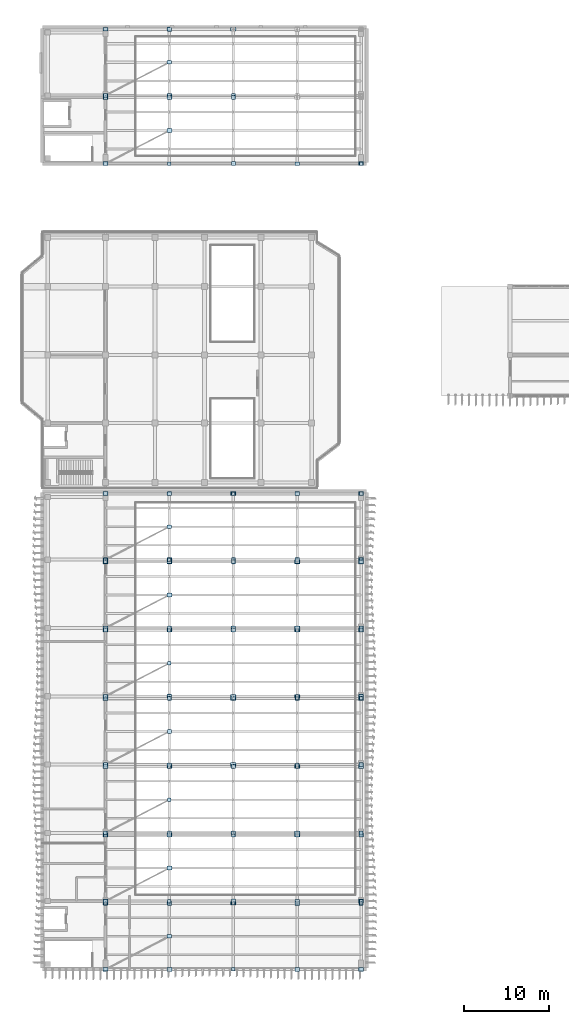
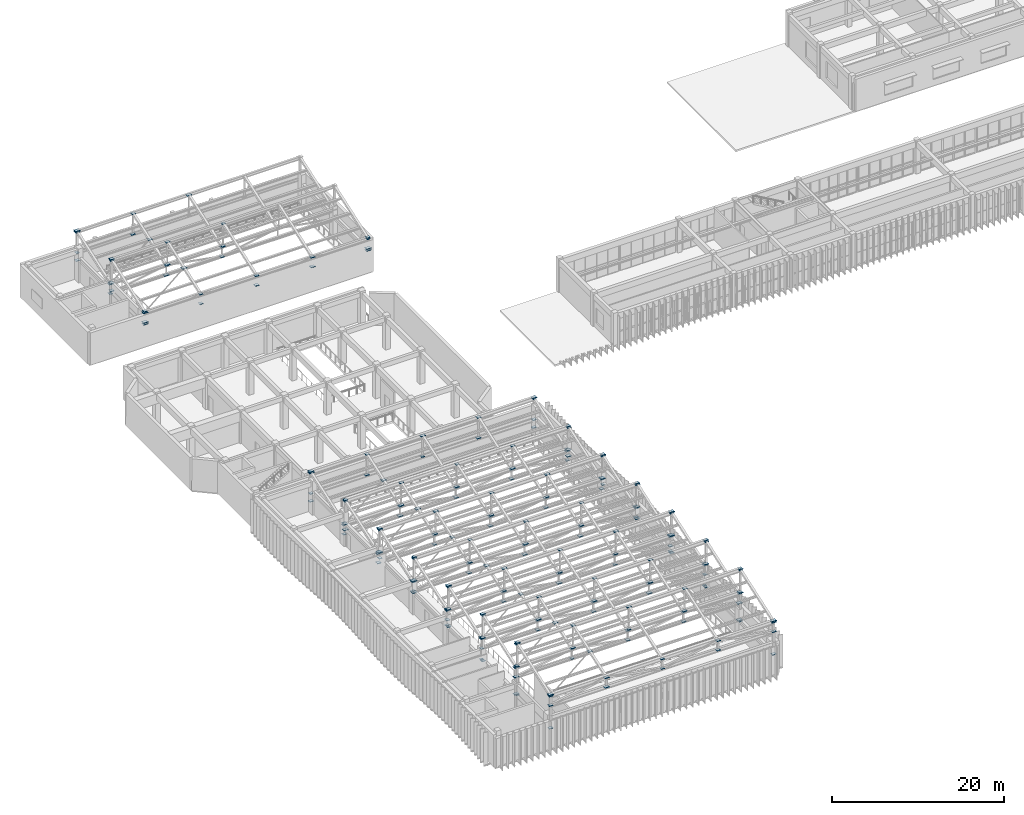
# One storey, part 49 of 76: 235 plates.
"""IFC4 building model written with IfcOpenShell, lengths in metres."""

import ifcopenshell
import ifcopenshell.guid

model = None  # the IFC model being written
_history = None  # IfcOwnerHistory: only IFC2X3 demands one
_inside = {}  # id of a spatial element -> (the spatial element, [elements in it])
_under = {}  # id of a project, library or spatial element -> (it, [spatial elements below it])
_declared = {}  # id of a project -> (the project, [libraries it declares])
_typed = {}  # id of a type object -> (the type object, [elements of that type])
_made_of = {}  # id of a material, layer set ... -> (it, [elements and type objects made of it])


def new_model(schema):
    """Start an empty IFC model of exactly this schema.

    Asked for "IFC4X3", IfcOpenShell would pick the latest addendum, in which some entities
    have other attributes; the version numbers below select the first issue.
    IFC2X3 requires an IfcOwnerHistory on every rooted entity: one is made here for all.
    """
    global model, _history
    if schema == "IFC4X3":
        model = ifcopenshell.file(schema_version=(4, 3, 0, 0))
    else:
        model = ifcopenshell.file(schema=schema)
    _inside.clear()
    _under.clear()
    _declared.clear()
    _typed.clear()
    _made_of.clear()
    _history = None
    if model.schema == "IFC2X3":
        org = make("IfcOrganization", Name="unknown")
        user = make(
            "IfcPersonAndOrganization",
            ThePerson=make("IfcPerson", FamilyName="unknown"),
            TheOrganization=org,
        )
        app = make(
            "IfcApplication",
            ApplicationDeveloper=org,
            Version="unknown",
            ApplicationFullName="unknown",
            ApplicationIdentifier="unknown",
        )
        _history = make(
            "IfcOwnerHistory",
            OwningUser=user,
            OwningApplication=app,
            ChangeAction="ADDED",
            CreationDate=0,
        )
    return model


def make(cls, **values):
    """One entity of the class cls with the attributes given. An attribute that is None is left unset."""
    return model.create_entity(
        cls, **{name: value for name, value in values.items() if value is not None}
    )


def rooted(cls, **values):
    """An entity with a GlobalId (a new one), such as an element, a storey or a relation."""
    return make(cls, GlobalId=ifcopenshell.guid.new(), OwnerHistory=_history, **values)


def si_unit(unit_type, name, prefix=None):
    """IfcSIUnit, for example si_unit("LENGTHUNIT", "METRE", prefix="MILLI")."""
    return make("IfcSIUnit", UnitType=unit_type, Prefix=prefix, Name=name)


def assignment(units):
    """IfcUnitAssignment: the units of a project."""
    return None if units is None else make("IfcUnitAssignment", Units=units)


def point(xyz):
    """IfcCartesianPoint."""
    return None if xyz is None else make("IfcCartesianPoint", Coordinates=xyz)


def direction(xyz):
    """IfcDirection."""
    return None if xyz is None else make("IfcDirection", DirectionRatios=xyz)


def frame(location, z_axis=None, x_axis=None):
    """IfcAxis2Placement3D, a coordinate frame: its origin and axes. An axis left out is left unset."""
    return make(
        "IfcAxis2Placement3D",
        Location=point(location),
        Axis=direction(z_axis),
        RefDirection=direction(x_axis),
    )


def frame_2d(location, x_axis=None):
    """IfcAxis2Placement2D, a coordinate frame in the plane: its origin and x axis."""
    return make(
        "IfcAxis2Placement2D", Location=point(location), RefDirection=direction(x_axis)
    )


def origin():
    """The frame at (0, 0, 0) with its axes left unset."""
    return frame((0.0, 0.0, 0.0))


def origin_2d():
    """The frame at (0, 0) in the plane with its x axis left unset."""
    return frame_2d((0.0, 0.0))


def place(relative_to, where):
    """IfcLocalPlacement: puts the frame where relative to a parent placement (None: the world)."""
    return make(
        "IfcLocalPlacement", PlacementRelTo=relative_to, RelativePlacement=where
    )


def context(
    kind, dimensions, precision=None, world=None, true_north=None, identifier=None
):
    """IfcGeometricRepresentationContext, for example the 3D "Model" context."""
    return make(
        "IfcGeometricRepresentationContext",
        ContextIdentifier=identifier,
        ContextType=kind,
        CoordinateSpaceDimension=dimensions,
        Precision=precision,
        WorldCoordinateSystem=world,
        TrueNorth=true_north,
    )


def subcontext(parent, identifier, kind, view, scale=None):
    """IfcGeometricRepresentationSubContext, for example "Body" below "Model"."""
    return make(
        "IfcGeometricRepresentationSubContext",
        ContextIdentifier=identifier,
        ContextType=kind,
        ParentContext=parent,
        TargetScale=scale,
        TargetView=view,
    )


def project(units=None, contexts=None):
    """IfcProject with its units and contexts."""
    return rooted(
        "IfcProject",
        Name="project",
        RepresentationContexts=contexts,
        UnitsInContext=assignment(units),
    )


def spatial(cls, under=None, at=None, **own):
    """A site, building, storey or space (cls), placed at a placement, below another one or the project."""
    s = rooted(cls, ObjectPlacement=at, **own)
    if under is not None:
        _under.setdefault(under.id(), (under, []))[1].append(s)
    return s


def profile(cls, at=None, kind="AREA", **sizes):
    """A parametric profile (cls). Its sizes go by their IFC names, for example OverallWidth=200.0."""
    return make(cls, ProfileType=kind, Position=at, **sizes)


def rectangle(**sizes):
    """IfcRectangleProfileDef."""
    return profile("IfcRectangleProfileDef", **sizes)


def extrude(swept, where, along, depth):
    """IfcExtrudedAreaSolid: the profile swept, set in the frame where, extruded along a direction by depth."""
    return make(
        "IfcExtrudedAreaSolid",
        SweptArea=swept,
        Position=where,
        ExtrudedDirection=direction(along),
        Depth=depth,
    )


def shape(context_of_items, identifier, shape_type, items):
    """IfcShapeRepresentation: the items that make up one representation, for example the "Body"."""
    return make(
        "IfcShapeRepresentation",
        ContextOfItems=context_of_items,
        RepresentationIdentifier=identifier,
        RepresentationType=shape_type,
        Items=items,
    )


def material(Name=None, Category=None):
    """IfcMaterial."""
    return make("IfcMaterial", Name=Name, Category=Category)


def layer(
    of_material, thickness, ventilated=None, Name=None, Category=None, Priority=None
):
    """IfcMaterialLayer: one layer of a wall or slab, of a material (None: an air gap)."""
    return make(
        "IfcMaterialLayer",
        Material=of_material,
        LayerThickness=thickness,
        IsVentilated=ventilated,
        Name=Name,
        Category=Category,
        Priority=Priority,
    )


def layer_set(layers, Name=None):
    """IfcMaterialLayerSet."""
    return make("IfcMaterialLayerSet", MaterialLayers=layers, LayerSetName=Name)


def made_of(thing, what):
    """Note that an element or type object is made of a material, layer set ...; save() writes the relation."""
    if what is not None:
        _made_of.setdefault(what.id(), (what, []))[1].append(thing)
    return thing


def type_object(cls, material=None, **own):
    """A type object (cls), such as IfcWallType, which elements share."""
    return made_of(rooted(cls, **own), material)


def element(
    cls,
    number,
    at=None,
    inside=None,
    cuts=None,
    type_object=None,
    material=None,
    context=None,
    identifier="Body",
    shape_type=None,
    held_by="IfcProductDefinitionShape",
    body=None,
    shapes=None,
    **own,
):
    """One element of the class cls, such as IfcWall. Its Tag is "e" and its number.

    at: its placement. inside: the storey or other place that contains it. cuts: it is an
    opening in that element (IfcRelVoidsElement). A single representation is given by context,
    identifier, shape_type and body (its items); several are given by shapes. held_by: the class
    of the entity that holds the representations. save() writes the other relations.
    """
    e = rooted(cls, Tag="e%d" % number, ObjectPlacement=at, **own)
    if body is not None:
        shapes = [shape(context, identifier, shape_type, body)]
    if shapes is not None:
        e.Representation = make(held_by, Representations=shapes)
    if inside is not None:
        _inside.setdefault(inside.id(), (inside, []))[1].append(e)
    if cuts is not None:
        rooted(
            "IfcRelVoidsElement", RelatingBuildingElement=cuts, RelatedOpeningElement=e
        )
    if type_object is not None:
        _typed.setdefault(type_object.id(), (type_object, []))[1].append(e)
    return made_of(e, material)


def aggregate(whole, parts):
    """IfcRelAggregates: a whole, such as a stair, and the parts it consists of."""
    return rooted("IfcRelAggregates", RelatingObject=whole, RelatedObjects=parts)


def save(model, path):
    """Write the relations noted so far, then the file.

    IfcRelAggregates (storeys below a building ...), IfcRelContainedInSpatialStructure (elements
    in a storey), IfcRelDefinesByType, IfcRelAssociatesMaterial and IfcRelDeclares: one each for
    every whole, place, type object, material and project.
    """
    for whole, parts in _under.values():
        aggregate(whole, parts)
    for where, things in _inside.values():
        rooted(
            "IfcRelContainedInSpatialStructure",
            RelatedElements=things,
            RelatingStructure=where,
        )
    for kind, things in _typed.values():
        rooted("IfcRelDefinesByType", RelatedObjects=things, RelatingType=kind)
    for what, things in _made_of.values():
        rooted("IfcRelAssociatesMaterial", RelatedObjects=things, RelatingMaterial=what)
    for by, libraries in _declared.values():
        rooted("IfcRelDeclares", RelatingContext=by, RelatedDefinitions=libraries)
    model.write(path)


model = new_model("IFC4")

# Units and contexts
model_context = context("Model", 3, precision=1e-05, world=origin(), true_north=direction((0.0, 1.0)))
body_context = subcontext(model_context, "Body", "Model", "MODEL_VIEW")
ifc_project = project(units=[si_unit("LENGTHUNIT", "METRE"), si_unit("AREAUNIT", "SQUARE_METRE"), si_unit("VOLUMEUNIT", "CUBIC_METRE"), si_unit("PLANEANGLEUNIT", "RADIAN"), si_unit("MASSUNIT", "GRAM", prefix="KILO")], contexts=[model_context])

# Site, building, storey
site_placement = place(None, origin())
site = spatial("IfcSite", under=ifc_project, at=site_placement, CompositionType="ELEMENT")
building_placement = place(site_placement, origin())
building = spatial("IfcBuilding", under=site, at=building_placement, Name="Cinchona Park Media Centre", CompositionType="ELEMENT")
storey_placement = place(building_placement, frame((0.0, 0.0, 15.60009765625)))
storey = spatial("IfcBuildingStorey", under=building, at=storey_placement, Name="L03", CompositionType="ELEMENT", Elevation=15.60009765625)

# Plates
ifc_material_1 = material(Name="Steel S355", Category="steel")
ifc_layer_1 = layer(ifc_material_1, 0.02001953125)
ifc_layer_set_1 = layer_set([ifc_layer_1], Name="Steel S355")
plate_type_1 = type_object("IfcPlateType", Name="PLATE-GP01", PredefinedType="USERDEFINED", material=ifc_layer_set_1)
for number, where, z_axis, x_axis, name in (
    (1, (15.39990234375, 15.35009765625, 3.039794921875), (0.0, 0.0, 1.0), (1.0, 0.0, 0.0), "Truss Node Gusset Plate TN1"),
    (2, (45.360107421875, 15.35009765625, 3.039794921875), (0.0, 0.0, 1.0), (1.0, 0.0, 0.0), "Truss Node Gusset Plate TN1"),
    (3, (30.3798828125, 7.60009765625, 6.239990234375), (0.0, 0.0, 1.0), (1.0, 0.0, 0.0), "Truss Node Gusset Plate TN2"),
    (4, (30.3798828125, 7.60009765625, 7.58984375), (0.0, 0.0, 1.0), (1.0, 0.0, 0.0), "Truss Node Gusset Plate TN2"),
    (5, (15.39990234375, 15.35009765625, 7.08984375), (0.0, 0.0, 1.0), (1.0, 0.0, 0.0), "Truss Node Gusset Plate TN3"),
    (6, (30.3798828125, 15.35009765625, 7.08984375), (0.0, 0.0, 1.0), (1.0, 0.0, 0.0), "Truss Node Gusset Plate TN3"),
    (7, (45.360107421875, 15.35009765625, 10.289794921875), (0.0, 0.0, 1.0), (1.0, 0.0, 0.0), "Truss Node Gusset Plate TN3"),
    (8, (15.39990234375, 15.60009765625, 6.97998046875), (0.0, 0.0, 1.0), (1.0, 0.0, 0.0), "Truss Node Gusset Plate TN1"),
    (9, (45.360107421875, 15.60009765625, 6.97998046875), (0.0, 0.0, 1.0), (1.0, 0.0, 0.0), "Truss Node Gusset Plate TN1"),
    (10, (22.889892578125, 15.60009765625, 6.789794921875), (0.0, 0.0, 1.0), (1.0, 0.0, 0.0), "Truss Node Gusset Plate TN1"),
    (11, (22.889892578125, 15.60009765625, 5.43994140625), (0.0, 0.0, 1.0), (1.0, 0.0, 0.0), "Truss Node Gusset Plate TN1"),
    (12, (15.39990234375, 23.35009765625, 9.489990234375), (0.0, 0.0, 1.0), (1.0, 0.0, 0.0), "Truss Node Gusset Plate TN3"),
    (13, (30.3798828125, 23.35009765625, 9.489990234375), (0.0, 0.0, 1.0), (1.0, 0.0, 0.0), "Truss Node Gusset Plate TN3"),
    (14, (45.360107421875, 15.60009765625, 6.789794921875), (0.0, 0.0, 1.0), (1.0, 0.0, 0.0), "Truss Node Gusset Plate TN3"),
    (15, (15.39990234375, 23.60009765625, 3.039794921875), (0.0, 0.0, 1.0), (1.0, 0.0, 0.0), "Truss Node Gusset Plate TN1"),
    (16, (45.360107421875, 23.60009765625, 3.039794921875), (0.0, 0.0, 1.0), (1.0, 0.0, 0.0), "Truss Node Gusset Plate TN1"),
    (17, (15.39990234375, 23.60009765625, 4.639892578125), (0.0, 0.0, 1.0), (1.0, 0.0, 0.0), "Truss Node Gusset Plate TN1"),
    (18, (45.360107421875, 23.60009765625, 4.639892578125), (0.0, 0.0, 1.0), (1.0, 0.0, 0.0), "Truss Node Gusset Plate TN4"),
    (19, (15.39990234375, 23.60009765625, 5.989990234375), (0.0, 0.0, 1.0), (1.0, 0.0, 0.0), "Truss Node Gusset Plate TN3"),
    (20, (22.889892578125, 31.35009765625, 5.489990234375), (0.0, 0.0, 1.0), (1.0, 0.0, 0.0), "Truss Node Gusset Plate TN3"),
    (21, (37.8701171875, 31.35009765625, 5.489990234375), (0.0, 0.0, 1.0), (1.0, 0.0, 0.0), "Truss Node Gusset Plate TN3"),
    (22, (22.889892578125, 27.47509765625, 7.33984375), (0.0, 0.0, 1.0), (1.0, 0.0, 0.0), "Truss Node Gusset Plate TN4"),
    (23, (15.39990234375, 39.35009765625, 8.079833984375), (0.0, 0.0, 1.0), (1.0, 0.0, 0.0), "Truss Node Gusset Plate TN1"),
    (24, (45.360107421875, 39.35009765625, 8.079833984375), (0.0, 0.0, 1.0), (1.0, 0.0, 0.0), "Truss Node Gusset Plate TN1"),
    (25, (37.8701171875, 31.60009765625, 5.18994140625), (0.0, 0.0, 1.0), (1.0, 0.0, 0.0), "Truss Node Gusset Plate TN3"),
    (26, (37.8701171875, 31.60009765625, 3.83984375), (0.0, 0.0, 1.0), (1.0, 0.0, 0.0), "Truss Node Gusset Plate TN3"),
    (27, (22.889892578125, 39.35009765625, 7.889892578125), (0.0, 0.0, 1.0), (1.0, 0.0, 0.0), "Truss Node Gusset Plate TN3"),
    (28, (37.8701171875, 39.35009765625, 7.889892578125), (0.0, 0.0, 1.0), (1.0, 0.0, 0.0), "Truss Node Gusset Plate TN3"),
    (29, (45.360107421875, 39.35009765625, 4.68994140625), (0.0, 0.0, 1.0), (1.0, 0.0, 0.0), "Truss Node Gusset Plate TN3"),
    (30, (15.39990234375, 47.35009765625, 3.039794921875), (0.0, 0.0, 1.0), (1.0, 0.0, 0.0), "Truss Node Gusset Plate TN1"),
    (31, (45.360107421875, 47.35009765625, 3.039794921875), (0.0, 0.0, 1.0), (1.0, 0.0, 0.0), "Truss Node Gusset Plate TN1"),
    (32, (37.8701171875, 39.60009765625, 4.389892578125), (0.0, 0.0, 1.0), (1.0, 0.0, 0.0), "Truss Node Gusset Plate TN3"),
    (33, (15.39990234375, 39.60009765625, 4.389892578125), (0.0, 0.0, 1.0), (1.0, 0.0, 0.0), "Truss Node Gusset Plate TN3"),
    (34, (22.889892578125, 47.35009765625, 3.889892578125), (0.0, 0.0, 1.0), (1.0, 0.0, 0.0), "Truss Node Gusset Plate TN3"),
    (35, (37.8701171875, 47.35009765625, 3.889892578125), (0.0, 0.0, 1.0), (1.0, 0.0, 0.0), "Truss Node Gusset Plate TN3"),
    (36, (22.889892578125, 43.47509765625, 5.739990234375), (0.0, 0.0, 1.0), (1.0, 0.0, 0.0), "Truss Node Gusset Plate TN4"),
    (37, (15.39990234375, 55.35009765625, 6.47998046875), (0.0, 0.0, 1.0), (1.0, 0.0, 0.0), "Truss Node Gusset Plate TN1"),
    (38, (45.360107421875, 55.35009765625, 6.47998046875), (0.0, 0.0, 1.0), (1.0, 0.0, 0.0), "Truss Node Gusset Plate TN1"),
    (39, (22.889892578125, 47.60009765625, 2.239990234375), (0.0, 0.0, 1.0), (1.0, 0.0, 0.0), "Truss Node Gusset Plate TN1"),
    (40, (15.39990234375, 55.35009765625, 6.289794921875), (0.0, 0.0, 1.0), (1.0, 0.0, 0.0), "Truss Node Gusset Plate TN3"),
    (41, (30.3798828125, 55.35009765625, 6.289794921875), (0.0, 0.0, 1.0), (1.0, 0.0, 0.0), "Truss Node Gusset Plate TN3"),
    (42, (45.360107421875, 47.60009765625, 3.58984375), (0.0, 0.0, 1.0), (1.0, 0.0, 0.0), "Truss Node Gusset Plate TN3"),
    (43, (15.39990234375, 55.60009765625, 1.43994140625), (0.0, 0.0, 1.0), (1.0, 0.0, 0.0), "Truss Node Gusset Plate TN1"),
    (44, (45.360107421875, 55.60009765625, 1.43994140625), (0.0, 0.0, 1.0), (1.0, 0.0, 0.0), "Truss Node Gusset Plate TN1"),
    (45, (22.889892578125, 55.60009765625, 2.789794921875), (0.0, 0.0, 1.0), (1.0, 0.0, 0.0), "Truss Node Gusset Plate TN1"),
    (46, (30.3798828125, 55.60009765625, 2.789794921875), (0.0, 0.0, 1.0), (1.0, 0.0, 0.0), "Truss Node Gusset Plate TN2"),
    (47, (15.39990234375, 63.35009765625, 2.539794921875), (0.0, 0.0, 1.0), (1.0, 0.0, 0.0), "Truss Node Gusset Plate TN3"),
    (48, (30.3798828125, 63.35009765625, 2.539794921875), (0.0, 0.0, 1.0), (1.0, 0.0, 0.0), "Truss Node Gusset Plate TN3"),
    (49, (45.360107421875, 63.35009765625, 5.489990234375), (0.0, 0.0, 1.0), (1.0, 0.0, 0.0), "Truss Node Gusset Plate TN3"),
    (50, (15.39990234375, 102.0, 4.97998046875), (0.0, 0.0, 1.0), (1.0, 0.0, 0.0), "Truss Node Gusset Plate TN1"),
    (51, (45.360107421875, 102.0, 4.97998046875), (0.0, 0.0, 1.0), (1.0, 0.0, 0.0), "Truss Node Gusset Plate TN1"),
    (52, (22.889892578125, 102.0, 4.789794921875), (0.0, 0.0, 1.0), (1.0, 0.0, 0.0), "Truss Node Gusset Plate TN1"),
    (53, (22.889892578125, 102.0, 3.43994140625), (0.0, 0.0, 1.0), (1.0, 0.0, 0.0), "Truss Node Gusset Plate TN1"),
    (54, (15.39990234375, 109.75, 7.489990234375), (0.0, 0.0, 1.0), (1.0, 0.0, 0.0), "Truss Node Gusset Plate TN3"),
    (55, (30.3798828125, 109.75, 7.489990234375), (0.0, 0.0, 1.0), (1.0, 0.0, 0.0), "Truss Node Gusset Plate TN3"),
    (56, (45.360107421875, 102.0, 4.789794921875), (0.0, 0.0, 1.0), (1.0, 0.0, 0.0), "Truss Node Gusset Plate TN3"),
    (57, (15.39990234375, 110.0, 2.639892578125), (0.0, 0.0, 1.0), (1.0, 0.0, 0.0), "Truss Node Gusset Plate TN1"),
    (58, (22.889892578125, 110.0, 3.989990234375), (0.0, 0.0, 1.0), (1.0, 0.0, 0.0), "Truss Node Gusset Plate TN1"),
    (59, (30.3798828125, 110.0, 3.989990234375), (0.0, 0.0, 1.0), (1.0, 0.0, 0.0), "Truss Node Gusset Plate TN2"),
    (60, (15.39990234375, 117.75, 3.739990234375), (0.0, 0.0, 1.0), (1.0, 0.0, 0.0), "Truss Node Gusset Plate TN3"),
):
    element("IfcPlate", number, at=place(storey_placement, frame(where, z_axis=z_axis, x_axis=x_axis)), inside=storey, type_object=plate_type_1, Name=name, ObjectType="GUSSET PLATE", PredefinedType="USERDEFINED", context=body_context, shape_type="SweptSolid", body=[
        extrude(rectangle(XDim=0.419921875, YDim=0.419921875, at=origin_2d()), origin(), (0.0, 0.0, 1.0), 0.02001953125),
    ])
ifc_material_2 = material(Name="Steel S355", Category="steel")
ifc_layer_2 = layer(ifc_material_2, 0.02197265625)
ifc_layer_set_2 = layer_set([ifc_layer_2], Name="Steel S355")
plate_type_2 = type_object("IfcPlateType", Name="PLATE-GP02", PredefinedType="USERDEFINED", material=ifc_layer_set_2)
for number, where, z_axis, x_axis, name in (
    (61, (15.39990234375, 15.35009765625, 10.47900390625), (0.0, 0.0, 1.0), (1.0, 0.0, 0.0), "Truss Node Gusset Plate TN1"),
    (62, (45.360107421875, 15.35009765625, 10.47900390625), (0.0, 0.0, 1.0), (1.0, 0.0, 0.0), "Truss Node Gusset Plate TN1"),
    (63, (37.8701171875, 7.60009765625, 7.5888671875), (0.0, 0.0, 1.0), (1.0, 0.0, 0.0), "Truss Node Gusset Plate TN3"),
    (64, (37.8701171875, 7.60009765625, 6.239013671875), (0.0, 0.0, 1.0), (1.0, 0.0, 0.0), "Truss Node Gusset Plate TN3"),
    (65, (22.889892578125, 15.35009765625, 10.288818359375), (0.0, 0.0, 1.0), (1.0, 0.0, 0.0), "Truss Node Gusset Plate TN3"),
    (66, (37.8701171875, 15.35009765625, 10.288818359375), (0.0, 0.0, 1.0), (1.0, 0.0, 0.0), "Truss Node Gusset Plate TN3"),
    (67, (45.360107421875, 15.35009765625, 7.0888671875), (0.0, 0.0, 1.0), (1.0, 0.0, 0.0), "Truss Node Gusset Plate TN3"),
    (68, (15.39990234375, 23.35009765625, 3.038818359375), (0.0, 0.0, 1.0), (1.0, 0.0, 0.0), "Truss Node Gusset Plate TN1"),
    (69, (45.360107421875, 23.35009765625, 3.038818359375), (0.0, 0.0, 1.0), (1.0, 0.0, 0.0), "Truss Node Gusset Plate TN1"),
    (70, (30.3798828125, 15.60009765625, 5.43896484375), (0.0, 0.0, 1.0), (1.0, 0.0, 0.0), "Truss Node Gusset Plate TN2"),
    (71, (30.3798828125, 15.60009765625, 6.788818359375), (0.0, 0.0, 1.0), (1.0, 0.0, 0.0), "Truss Node Gusset Plate TN2"),
    (72, (15.39990234375, 23.35009765625, 6.288818359375), (0.0, 0.0, 1.0), (1.0, 0.0, 0.0), "Truss Node Gusset Plate TN3"),
    (73, (30.3798828125, 23.35009765625, 6.288818359375), (0.0, 0.0, 1.0), (1.0, 0.0, 0.0), "Truss Node Gusset Plate TN3"),
    (74, (45.360107421875, 23.35009765625, 9.489013671875), (0.0, 0.0, 1.0), (1.0, 0.0, 0.0), "Truss Node Gusset Plate TN3"),
    (75, (15.39990234375, 23.60009765625, 6.178955078125), (0.0, 0.0, 1.0), (1.0, 0.0, 0.0), "Truss Node Gusset Plate TN1"),
    (76, (45.360107421875, 23.60009765625, 6.178955078125), (0.0, 0.0, 1.0), (1.0, 0.0, 0.0), "Truss Node Gusset Plate TN1"),
    (77, (22.889892578125, 23.60009765625, 5.989013671875), (0.0, 0.0, 1.0), (1.0, 0.0, 0.0), "Truss Node Gusset Plate TN1"),
    (78, (22.889892578125, 23.60009765625, 4.638916015625), (0.0, 0.0, 1.0), (1.0, 0.0, 0.0), "Truss Node Gusset Plate TN1"),
    (79, (15.39990234375, 31.35009765625, 8.68896484375), (0.0, 0.0, 1.0), (1.0, 0.0, 0.0), "Truss Node Gusset Plate TN3"),
    (80, (30.3798828125, 31.35009765625, 8.68896484375), (0.0, 0.0, 1.0), (1.0, 0.0, 0.0), "Truss Node Gusset Plate TN3"),
    (81, (45.360107421875, 23.60009765625, 5.989013671875), (0.0, 0.0, 1.0), (1.0, 0.0, 0.0), "Truss Node Gusset Plate TN3"),
    (82, (15.39990234375, 31.60009765625, 3.038818359375), (0.0, 0.0, 1.0), (1.0, 0.0, 0.0), "Truss Node Gusset Plate TN1"),
    (83, (45.360107421875, 31.60009765625, 3.038818359375), (0.0, 0.0, 1.0), (1.0, 0.0, 0.0), "Truss Node Gusset Plate TN1"),
    (84, (15.39990234375, 31.60009765625, 3.8388671875), (0.0, 0.0, 1.0), (1.0, 0.0, 0.0), "Truss Node Gusset Plate TN1"),
    (85, (45.360107421875, 31.60009765625, 3.8388671875), (0.0, 0.0, 1.0), (1.0, 0.0, 0.0), "Truss Node Gusset Plate TN4"),
    (86, (15.39990234375, 31.60009765625, 5.18896484375), (0.0, 0.0, 1.0), (1.0, 0.0, 0.0), "Truss Node Gusset Plate TN3"),
    (87, (22.889892578125, 39.35009765625, 4.68896484375), (0.0, 0.0, 1.0), (1.0, 0.0, 0.0), "Truss Node Gusset Plate TN3"),
    (88, (37.8701171875, 39.35009765625, 4.68896484375), (0.0, 0.0, 1.0), (1.0, 0.0, 0.0), "Truss Node Gusset Plate TN3"),
    (89, (22.889892578125, 35.47509765625, 6.538818359375), (0.0, 0.0, 1.0), (1.0, 0.0, 0.0), "Truss Node Gusset Plate TN4"),
    (90, (15.39990234375, 47.35009765625, 7.27880859375), (0.0, 0.0, 1.0), (1.0, 0.0, 0.0), "Truss Node Gusset Plate TN1"),
    (91, (45.360107421875, 47.35009765625, 7.27880859375), (0.0, 0.0, 1.0), (1.0, 0.0, 0.0), "Truss Node Gusset Plate TN1"),
    (92, (22.889892578125, 39.60009765625, 3.038818359375), (0.0, 0.0, 1.0), (1.0, 0.0, 0.0), "Truss Node Gusset Plate TN1"),
    (93, (15.39990234375, 47.35009765625, 7.0888671875), (0.0, 0.0, 1.0), (1.0, 0.0, 0.0), "Truss Node Gusset Plate TN3"),
    (94, (30.3798828125, 47.35009765625, 7.0888671875), (0.0, 0.0, 1.0), (1.0, 0.0, 0.0), "Truss Node Gusset Plate TN3"),
    (95, (45.360107421875, 39.60009765625, 4.388916015625), (0.0, 0.0, 1.0), (1.0, 0.0, 0.0), "Truss Node Gusset Plate TN3"),
    (96, (15.39990234375, 47.60009765625, 2.239013671875), (0.0, 0.0, 1.0), (1.0, 0.0, 0.0), "Truss Node Gusset Plate TN1"),
    (97, (45.360107421875, 47.60009765625, 2.239013671875), (0.0, 0.0, 1.0), (1.0, 0.0, 0.0), "Truss Node Gusset Plate TN1"),
    (98, (22.889892578125, 47.60009765625, 3.5888671875), (0.0, 0.0, 1.0), (1.0, 0.0, 0.0), "Truss Node Gusset Plate TN1"),
    (99, (30.3798828125, 47.60009765625, 3.5888671875), (0.0, 0.0, 1.0), (1.0, 0.0, 0.0), "Truss Node Gusset Plate TN2"),
    (100, (15.39990234375, 55.35009765625, 3.0888671875), (0.0, 0.0, 1.0), (1.0, 0.0, 0.0), "Truss Node Gusset Plate TN3"),
    (101, (30.3798828125, 55.35009765625, 3.0888671875), (0.0, 0.0, 1.0), (1.0, 0.0, 0.0), "Truss Node Gusset Plate TN3"),
    (102, (45.360107421875, 55.35009765625, 6.288818359375), (0.0, 0.0, 1.0), (1.0, 0.0, 0.0), "Truss Node Gusset Plate TN3"),
    (103, (15.39990234375, 55.60009765625, 2.97900390625), (0.0, 0.0, 1.0), (1.0, 0.0, 0.0), "Truss Node Gusset Plate TN1"),
    (104, (45.360107421875, 55.60009765625, 2.97900390625), (0.0, 0.0, 1.0), (1.0, 0.0, 0.0), "Truss Node Gusset Plate TN1"),
    (105, (30.3798828125, 55.60009765625, 1.43896484375), (0.0, 0.0, 1.0), (1.0, 0.0, 0.0), "Truss Node Gusset Plate TN2"),
    (106, (37.8701171875, 55.60009765625, 1.43896484375), (0.0, 0.0, 1.0), (1.0, 0.0, 0.0), "Truss Node Gusset Plate TN3"),
    (107, (22.889892578125, 63.35009765625, 5.489013671875), (0.0, 0.0, 1.0), (1.0, 0.0, 0.0), "Truss Node Gusset Plate TN3"),
    (108, (37.8701171875, 63.35009765625, 5.489013671875), (0.0, 0.0, 1.0), (1.0, 0.0, 0.0), "Truss Node Gusset Plate TN3"),
    (109, (45.360107421875, 63.35009765625, 2.538818359375), (0.0, 0.0, 1.0), (1.0, 0.0, 0.0), "Truss Node Gusset Plate TN3"),
    (110, (15.39990234375, 109.75, 3.18896484375), (0.0, 0.0, 1.0), (1.0, 0.0, 0.0), "Truss Node Gusset Plate TN1"),
    (111, (30.3798828125, 102.0, 3.43896484375), (0.0, 0.0, 1.0), (1.0, 0.0, 0.0), "Truss Node Gusset Plate TN2"),
    (112, (30.3798828125, 102.0, 4.788818359375), (0.0, 0.0, 1.0), (1.0, 0.0, 0.0), "Truss Node Gusset Plate TN2"),
    (113, (15.39990234375, 109.75, 4.288818359375), (0.0, 0.0, 1.0), (1.0, 0.0, 0.0), "Truss Node Gusset Plate TN3"),
    (114, (30.3798828125, 109.75, 4.288818359375), (0.0, 0.0, 1.0), (1.0, 0.0, 0.0), "Truss Node Gusset Plate TN3"),
    (115, (15.39990234375, 110.0, 4.178955078125), (0.0, 0.0, 1.0), (1.0, 0.0, 0.0), "Truss Node Gusset Plate TN1"),
    (116, (30.3798828125, 110.0, 2.638916015625), (0.0, 0.0, 1.0), (1.0, 0.0, 0.0), "Truss Node Gusset Plate TN2"),
    (117, (22.889892578125, 117.75, 6.68896484375), (0.0, 0.0, 1.0), (1.0, 0.0, 0.0), "Truss Node Gusset Plate TN3"),
):
    element("IfcPlate", number, at=place(storey_placement, frame(where, z_axis=z_axis, x_axis=x_axis)), inside=storey, type_object=plate_type_2, Name=name, ObjectType="GUSSET PLATE", PredefinedType="USERDEFINED", context=body_context, shape_type="SweptSolid", body=[
        extrude(rectangle(XDim=0.47998046875, YDim=0.47998046875, at=origin_2d()), origin(), (0.0, 0.0, 1.0), 0.02197265625),
    ])
ifc_material_3 = material(Name="Steel S355", Category="steel")
ifc_layer_3 = layer(ifc_material_3, 0.02392578125)
ifc_layer_set_3 = layer_set([ifc_layer_3], Name="Steel S355")
plate_type_3 = type_object("IfcPlateType", Name="PLATE-GP03", PredefinedType="USERDEFINED", material=ifc_layer_set_3)
for number, where, z_axis, x_axis, name in (
    (118, (15.39990234375, 7.60009765625, 3.037841796875), (0.0, 0.0, 1.0), (1.0, 0.0, 0.0), "Truss Node Gusset Plate TN1"),
    (119, (45.360107421875, 7.60009765625, 3.037841796875), (0.0, 0.0, 1.0), (1.0, 0.0, 0.0), "Truss Node Gusset Plate TN1"),
    (120, (15.39990234375, 7.60009765625, 6.238037109375), (0.0, 0.0, 1.0), (1.0, 0.0, 0.0), "Truss Node Gusset Plate TN1"),
    (121, (45.360107421875, 7.60009765625, 6.238037109375), (0.0, 0.0, 1.0), (1.0, 0.0, 0.0), "Truss Node Gusset Plate TN4"),
    (122, (15.39990234375, 7.60009765625, 7.587890625), (0.0, 0.0, 1.0), (1.0, 0.0, 0.0), "Truss Node Gusset Plate TN3"),
    (123, (22.889892578125, 15.35009765625, 7.087890625), (0.0, 0.0, 1.0), (1.0, 0.0, 0.0), "Truss Node Gusset Plate TN3"),
    (124, (37.8701171875, 15.35009765625, 7.087890625), (0.0, 0.0, 1.0), (1.0, 0.0, 0.0), "Truss Node Gusset Plate TN3"),
    (125, (22.889892578125, 11.47509765625, 8.93798828125), (0.0, 0.0, 1.0), (1.0, 0.0, 0.0), "Truss Node Gusset Plate TN4"),
    (126, (15.39990234375, 23.35009765625, 9.677978515625), (0.0, 0.0, 1.0), (1.0, 0.0, 0.0), "Truss Node Gusset Plate TN1"),
    (127, (45.360107421875, 23.35009765625, 9.677978515625), (0.0, 0.0, 1.0), (1.0, 0.0, 0.0), "Truss Node Gusset Plate TN1"),
    (128, (37.8701171875, 15.60009765625, 6.787841796875), (0.0, 0.0, 1.0), (1.0, 0.0, 0.0), "Truss Node Gusset Plate TN3"),
    (129, (37.8701171875, 15.60009765625, 5.43798828125), (0.0, 0.0, 1.0), (1.0, 0.0, 0.0), "Truss Node Gusset Plate TN3"),
    (130, (22.889892578125, 23.35009765625, 9.488037109375), (0.0, 0.0, 1.0), (1.0, 0.0, 0.0), "Truss Node Gusset Plate TN3"),
    (131, (37.8701171875, 23.35009765625, 9.488037109375), (0.0, 0.0, 1.0), (1.0, 0.0, 0.0), "Truss Node Gusset Plate TN3"),
    (132, (45.360107421875, 23.35009765625, 6.287841796875), (0.0, 0.0, 1.0), (1.0, 0.0, 0.0), "Truss Node Gusset Plate TN3"),
    (133, (15.39990234375, 31.35009765625, 3.037841796875), (0.0, 0.0, 1.0), (1.0, 0.0, 0.0), "Truss Node Gusset Plate TN1"),
    (134, (45.360107421875, 31.35009765625, 3.037841796875), (0.0, 0.0, 1.0), (1.0, 0.0, 0.0), "Truss Node Gusset Plate TN1"),
    (135, (30.3798828125, 23.60009765625, 4.637939453125), (0.0, 0.0, 1.0), (1.0, 0.0, 0.0), "Truss Node Gusset Plate TN2"),
    (136, (30.3798828125, 23.60009765625, 5.988037109375), (0.0, 0.0, 1.0), (1.0, 0.0, 0.0), "Truss Node Gusset Plate TN2"),
    (137, (15.39990234375, 31.35009765625, 5.488037109375), (0.0, 0.0, 1.0), (1.0, 0.0, 0.0), "Truss Node Gusset Plate TN3"),
    (138, (30.3798828125, 31.35009765625, 5.488037109375), (0.0, 0.0, 1.0), (1.0, 0.0, 0.0), "Truss Node Gusset Plate TN3"),
    (139, (45.360107421875, 31.35009765625, 8.68798828125), (0.0, 0.0, 1.0), (1.0, 0.0, 0.0), "Truss Node Gusset Plate TN3"),
    (140, (15.39990234375, 31.60009765625, 5.3779296875), (0.0, 0.0, 1.0), (1.0, 0.0, 0.0), "Truss Node Gusset Plate TN1"),
    (141, (45.360107421875, 31.60009765625, 5.3779296875), (0.0, 0.0, 1.0), (1.0, 0.0, 0.0), "Truss Node Gusset Plate TN1"),
    (142, (22.889892578125, 31.60009765625, 5.18798828125), (0.0, 0.0, 1.0), (1.0, 0.0, 0.0), "Truss Node Gusset Plate TN1"),
    (143, (22.889892578125, 31.60009765625, 3.837890625), (0.0, 0.0, 1.0), (1.0, 0.0, 0.0), "Truss Node Gusset Plate TN1"),
    (144, (15.39990234375, 39.35009765625, 7.887939453125), (0.0, 0.0, 1.0), (1.0, 0.0, 0.0), "Truss Node Gusset Plate TN3"),
    (145, (30.3798828125, 39.35009765625, 7.887939453125), (0.0, 0.0, 1.0), (1.0, 0.0, 0.0), "Truss Node Gusset Plate TN3"),
    (146, (45.360107421875, 31.60009765625, 5.18798828125), (0.0, 0.0, 1.0), (1.0, 0.0, 0.0), "Truss Node Gusset Plate TN3"),
    (147, (15.39990234375, 39.60009765625, 3.037841796875), (0.0, 0.0, 1.0), (1.0, 0.0, 0.0), "Truss Node Gusset Plate TN1"),
    (148, (45.360107421875, 39.60009765625, 3.037841796875), (0.0, 0.0, 1.0), (1.0, 0.0, 0.0), "Truss Node Gusset Plate TN1"),
    (149, (22.889892578125, 39.60009765625, 4.387939453125), (0.0, 0.0, 1.0), (1.0, 0.0, 0.0), "Truss Node Gusset Plate TN1"),
    (150, (30.3798828125, 39.60009765625, 4.387939453125), (0.0, 0.0, 1.0), (1.0, 0.0, 0.0), "Truss Node Gusset Plate TN2"),
    (151, (15.39990234375, 47.35009765625, 3.887939453125), (0.0, 0.0, 1.0), (1.0, 0.0, 0.0), "Truss Node Gusset Plate TN3"),
    (152, (30.3798828125, 47.35009765625, 3.887939453125), (0.0, 0.0, 1.0), (1.0, 0.0, 0.0), "Truss Node Gusset Plate TN3"),
    (153, (45.360107421875, 47.35009765625, 7.087890625), (0.0, 0.0, 1.0), (1.0, 0.0, 0.0), "Truss Node Gusset Plate TN3"),
    (154, (15.39990234375, 47.60009765625, 3.77783203125), (0.0, 0.0, 1.0), (1.0, 0.0, 0.0), "Truss Node Gusset Plate TN1"),
    (155, (45.360107421875, 47.60009765625, 3.77783203125), (0.0, 0.0, 1.0), (1.0, 0.0, 0.0), "Truss Node Gusset Plate TN1"),
    (156, (30.3798828125, 47.60009765625, 2.238037109375), (0.0, 0.0, 1.0), (1.0, 0.0, 0.0), "Truss Node Gusset Plate TN2"),
    (157, (37.8701171875, 47.60009765625, 2.238037109375), (0.0, 0.0, 1.0), (1.0, 0.0, 0.0), "Truss Node Gusset Plate TN3"),
    (158, (22.889892578125, 55.35009765625, 6.287841796875), (0.0, 0.0, 1.0), (1.0, 0.0, 0.0), "Truss Node Gusset Plate TN3"),
    (159, (37.8701171875, 55.35009765625, 6.287841796875), (0.0, 0.0, 1.0), (1.0, 0.0, 0.0), "Truss Node Gusset Plate TN3"),
    (160, (45.360107421875, 55.35009765625, 3.087890625), (0.0, 0.0, 1.0), (1.0, 0.0, 0.0), "Truss Node Gusset Plate TN3"),
    (161, (15.39990234375, 63.35009765625, 1.43798828125), (0.0, 0.0, 1.0), (1.0, 0.0, 0.0), "Truss Node Gusset Plate TN1"),
    (162, (45.360107421875, 63.35009765625, 1.43798828125), (0.0, 0.0, 1.0), (1.0, 0.0, 0.0), "Truss Node Gusset Plate TN1"),
    (163, (37.8701171875, 55.60009765625, 2.787841796875), (0.0, 0.0, 1.0), (1.0, 0.0, 0.0), "Truss Node Gusset Plate TN3"),
    (164, (15.39990234375, 55.60009765625, 2.787841796875), (0.0, 0.0, 1.0), (1.0, 0.0, 0.0), "Truss Node Gusset Plate TN3"),
    (165, (22.889892578125, 63.35009765625, 2.537841796875), (0.0, 0.0, 1.0), (1.0, 0.0, 0.0), "Truss Node Gusset Plate TN3"),
    (166, (37.8701171875, 63.35009765625, 2.537841796875), (0.0, 0.0, 1.0), (1.0, 0.0, 0.0), "Truss Node Gusset Plate TN3"),
    (167, (22.889892578125, 59.47509765625, 4.137939453125), (0.0, 0.0, 1.0), (1.0, 0.0, 0.0), "Truss Node Gusset Plate TN4"),
    (168, (15.39990234375, 109.75, 7.677978515625), (0.0, 0.0, 1.0), (1.0, 0.0, 0.0), "Truss Node Gusset Plate TN1"),
    (169, (37.8701171875, 102.0, 4.787841796875), (0.0, 0.0, 1.0), (1.0, 0.0, 0.0), "Truss Node Gusset Plate TN3"),
    (170, (37.8701171875, 102.0, 3.43798828125), (0.0, 0.0, 1.0), (1.0, 0.0, 0.0), "Truss Node Gusset Plate TN3"),
    (171, (22.889892578125, 109.75, 7.488037109375), (0.0, 0.0, 1.0), (1.0, 0.0, 0.0), "Truss Node Gusset Plate TN3"),
    (172, (15.39990234375, 117.75, 2.637939453125), (0.0, 0.0, 1.0), (1.0, 0.0, 0.0), "Truss Node Gusset Plate TN1"),
    (173, (15.39990234375, 110.0, 3.988037109375), (0.0, 0.0, 1.0), (1.0, 0.0, 0.0), "Truss Node Gusset Plate TN3"),
    (174, (22.889892578125, 117.75, 3.738037109375), (0.0, 0.0, 1.0), (1.0, 0.0, 0.0), "Truss Node Gusset Plate TN3"),
    (175, (22.889892578125, 113.875, 5.337890625), (0.0, 0.0, 1.0), (1.0, 0.0, 0.0), "Truss Node Gusset Plate TN4"),
):
    element("IfcPlate", number, at=place(storey_placement, frame(where, z_axis=z_axis, x_axis=x_axis)), inside=storey, type_object=plate_type_3, Name=name, ObjectType="GUSSET PLATE", PredefinedType="USERDEFINED", context=body_context, shape_type="SweptSolid", body=[
        extrude(rectangle(XDim=0.5400390625, YDim=0.419921875, at=origin_2d()), origin(), (0.0, 0.0, 1.0), 0.02392578125),
    ])
ifc_material_4 = material(Name="Steel S355", Category="steel")
ifc_layer_4 = layer(ifc_material_4, 0.02587890625)
ifc_layer_set_4 = layer_set([ifc_layer_4], Name="Steel S355")
plate_type_4 = type_object("IfcPlateType", Name="PLATE-GP04", PredefinedType="USERDEFINED", material=ifc_layer_set_4)
for number, where, z_axis, x_axis, name in (
    (176, (15.39990234375, 7.60009765625, 7.77685546875), (0.0, 0.0, 1.0), (1.0, 0.0, 0.0), "Truss Node Gusset Plate TN1"),
    (177, (45.360107421875, 7.60009765625, 7.77685546875), (0.0, 0.0, 1.0), (1.0, 0.0, 0.0), "Truss Node Gusset Plate TN1"),
    (178, (22.889892578125, 7.60009765625, 7.5869140625), (0.0, 0.0, 1.0), (1.0, 0.0, 0.0), "Truss Node Gusset Plate TN1"),
    (179, (22.889892578125, 7.60009765625, 6.237060546875), (0.0, 0.0, 1.0), (1.0, 0.0, 0.0), "Truss Node Gusset Plate TN1"),
    (180, (15.39990234375, 15.35009765625, 10.286865234375), (0.0, 0.0, 1.0), (1.0, 0.0, 0.0), "Truss Node Gusset Plate TN3"),
    (181, (30.3798828125, 15.35009765625, 10.286865234375), (0.0, 0.0, 1.0), (1.0, 0.0, 0.0), "Truss Node Gusset Plate TN3"),
    (182, (45.360107421875, 7.60009765625, 7.5869140625), (0.0, 0.0, 1.0), (1.0, 0.0, 0.0), "Truss Node Gusset Plate TN3"),
    (183, (15.39990234375, 15.60009765625, 3.036865234375), (0.0, 0.0, 1.0), (1.0, 0.0, 0.0), "Truss Node Gusset Plate TN1"),
    (184, (45.360107421875, 15.60009765625, 3.036865234375), (0.0, 0.0, 1.0), (1.0, 0.0, 0.0), "Truss Node Gusset Plate TN1"),
    (185, (15.39990234375, 15.60009765625, 5.43701171875), (0.0, 0.0, 1.0), (1.0, 0.0, 0.0), "Truss Node Gusset Plate TN1"),
    (186, (45.360107421875, 15.60009765625, 5.43701171875), (0.0, 0.0, 1.0), (1.0, 0.0, 0.0), "Truss Node Gusset Plate TN4"),
    (187, (15.39990234375, 15.60009765625, 6.786865234375), (0.0, 0.0, 1.0), (1.0, 0.0, 0.0), "Truss Node Gusset Plate TN3"),
    (188, (22.889892578125, 23.35009765625, 6.286865234375), (0.0, 0.0, 1.0), (1.0, 0.0, 0.0), "Truss Node Gusset Plate TN3"),
    (189, (37.8701171875, 23.35009765625, 6.286865234375), (0.0, 0.0, 1.0), (1.0, 0.0, 0.0), "Truss Node Gusset Plate TN3"),
    (190, (22.889892578125, 19.47509765625, 8.136962890625), (0.0, 0.0, 1.0), (1.0, 0.0, 0.0), "Truss Node Gusset Plate TN4"),
    (191, (15.39990234375, 31.35009765625, 8.876953125), (0.0, 0.0, 1.0), (1.0, 0.0, 0.0), "Truss Node Gusset Plate TN1"),
    (192, (45.360107421875, 31.35009765625, 8.876953125), (0.0, 0.0, 1.0), (1.0, 0.0, 0.0), "Truss Node Gusset Plate TN1"),
    (193, (37.8701171875, 23.60009765625, 5.987060546875), (0.0, 0.0, 1.0), (1.0, 0.0, 0.0), "Truss Node Gusset Plate TN3"),
    (194, (37.8701171875, 23.60009765625, 4.636962890625), (0.0, 0.0, 1.0), (1.0, 0.0, 0.0), "Truss Node Gusset Plate TN3"),
    (195, (22.889892578125, 31.35009765625, 8.68701171875), (0.0, 0.0, 1.0), (1.0, 0.0, 0.0), "Truss Node Gusset Plate TN3"),
    (196, (37.8701171875, 31.35009765625, 8.68701171875), (0.0, 0.0, 1.0), (1.0, 0.0, 0.0), "Truss Node Gusset Plate TN3"),
    (197, (45.360107421875, 31.35009765625, 5.487060546875), (0.0, 0.0, 1.0), (1.0, 0.0, 0.0), "Truss Node Gusset Plate TN3"),
    (198, (15.39990234375, 39.35009765625, 3.036865234375), (0.0, 0.0, 1.0), (1.0, 0.0, 0.0), "Truss Node Gusset Plate TN1"),
    (199, (45.360107421875, 39.35009765625, 3.036865234375), (0.0, 0.0, 1.0), (1.0, 0.0, 0.0), "Truss Node Gusset Plate TN1"),
    (200, (30.3798828125, 31.60009765625, 3.8369140625), (0.0, 0.0, 1.0), (1.0, 0.0, 0.0), "Truss Node Gusset Plate TN2"),
    (201, (30.3798828125, 31.60009765625, 5.18701171875), (0.0, 0.0, 1.0), (1.0, 0.0, 0.0), "Truss Node Gusset Plate TN2"),
    (202, (15.39990234375, 39.35009765625, 4.68701171875), (0.0, 0.0, 1.0), (1.0, 0.0, 0.0), "Truss Node Gusset Plate TN3"),
    (203, (30.3798828125, 39.35009765625, 4.68701171875), (0.0, 0.0, 1.0), (1.0, 0.0, 0.0), "Truss Node Gusset Plate TN3"),
    (204, (45.360107421875, 39.35009765625, 7.886962890625), (0.0, 0.0, 1.0), (1.0, 0.0, 0.0), "Truss Node Gusset Plate TN3"),
    (205, (15.39990234375, 39.60009765625, 4.576904296875), (0.0, 0.0, 1.0), (1.0, 0.0, 0.0), "Truss Node Gusset Plate TN1"),
    (206, (45.360107421875, 39.60009765625, 4.576904296875), (0.0, 0.0, 1.0), (1.0, 0.0, 0.0), "Truss Node Gusset Plate TN1"),
    (207, (30.3798828125, 39.60009765625, 3.036865234375), (0.0, 0.0, 1.0), (1.0, 0.0, 0.0), "Truss Node Gusset Plate TN2"),
    (208, (37.8701171875, 39.60009765625, 3.036865234375), (0.0, 0.0, 1.0), (1.0, 0.0, 0.0), "Truss Node Gusset Plate TN3"),
    (209, (22.889892578125, 47.35009765625, 7.0869140625), (0.0, 0.0, 1.0), (1.0, 0.0, 0.0), "Truss Node Gusset Plate TN3"),
    (210, (37.8701171875, 47.35009765625, 7.0869140625), (0.0, 0.0, 1.0), (1.0, 0.0, 0.0), "Truss Node Gusset Plate TN3"),
    (211, (45.360107421875, 47.35009765625, 3.886962890625), (0.0, 0.0, 1.0), (1.0, 0.0, 0.0), "Truss Node Gusset Plate TN3"),
    (212, (15.39990234375, 55.35009765625, 2.237060546875), (0.0, 0.0, 1.0), (1.0, 0.0, 0.0), "Truss Node Gusset Plate TN1"),
    (213, (45.360107421875, 55.35009765625, 2.237060546875), (0.0, 0.0, 1.0), (1.0, 0.0, 0.0), "Truss Node Gusset Plate TN1"),
    (214, (37.8701171875, 47.60009765625, 3.5869140625), (0.0, 0.0, 1.0), (1.0, 0.0, 0.0), "Truss Node Gusset Plate TN3"),
    (215, (15.39990234375, 47.60009765625, 3.5869140625), (0.0, 0.0, 1.0), (1.0, 0.0, 0.0), "Truss Node Gusset Plate TN3"),
    (216, (22.889892578125, 55.35009765625, 3.0869140625), (0.0, 0.0, 1.0), (1.0, 0.0, 0.0), "Truss Node Gusset Plate TN3"),
    (217, (37.8701171875, 55.35009765625, 3.0869140625), (0.0, 0.0, 1.0), (1.0, 0.0, 0.0), "Truss Node Gusset Plate TN3"),
    (218, (22.889892578125, 51.47509765625, 4.93701171875), (0.0, 0.0, 1.0), (1.0, 0.0, 0.0), "Truss Node Gusset Plate TN4"),
    (219, (15.39990234375, 63.35009765625, 5.677001953125), (0.0, 0.0, 1.0), (1.0, 0.0, 0.0), "Truss Node Gusset Plate TN1"),
    (220, (45.360107421875, 63.35009765625, 5.677001953125), (0.0, 0.0, 1.0), (1.0, 0.0, 0.0), "Truss Node Gusset Plate TN1"),
    (221, (22.889892578125, 55.60009765625, 1.43701171875), (0.0, 0.0, 1.0), (1.0, 0.0, 0.0), "Truss Node Gusset Plate TN1"),
    (222, (15.39990234375, 63.35009765625, 5.487060546875), (0.0, 0.0, 1.0), (1.0, 0.0, 0.0), "Truss Node Gusset Plate TN3"),
    (223, (30.3798828125, 63.35009765625, 5.487060546875), (0.0, 0.0, 1.0), (1.0, 0.0, 0.0), "Truss Node Gusset Plate TN3"),
    (224, (45.360107421875, 55.60009765625, 2.786865234375), (0.0, 0.0, 1.0), (1.0, 0.0, 0.0), "Truss Node Gusset Plate TN3"),
    (225, (15.39990234375, 102.0, 3.18701171875), (0.0, 0.0, 1.0), (1.0, 0.0, 0.0), "Truss Node Gusset Plate TN1"),
    (226, (45.360107421875, 102.0, 3.18701171875), (0.0, 0.0, 1.0), (1.0, 0.0, 0.0), "Truss Node Gusset Plate TN1"),
    (227, (15.39990234375, 102.0, 3.43701171875), (0.0, 0.0, 1.0), (1.0, 0.0, 0.0), "Truss Node Gusset Plate TN1"),
    (228, (45.360107421875, 102.0, 3.43701171875), (0.0, 0.0, 1.0), (1.0, 0.0, 0.0), "Truss Node Gusset Plate TN4"),
    (229, (15.39990234375, 102.0, 4.786865234375), (0.0, 0.0, 1.0), (1.0, 0.0, 0.0), "Truss Node Gusset Plate TN3"),
    (230, (22.889892578125, 109.75, 4.286865234375), (0.0, 0.0, 1.0), (1.0, 0.0, 0.0), "Truss Node Gusset Plate TN3"),
    (231, (22.889892578125, 105.875, 6.136962890625), (0.0, 0.0, 1.0), (1.0, 0.0, 0.0), "Truss Node Gusset Plate TN4"),
    (232, (15.39990234375, 117.75, 6.876953125), (0.0, 0.0, 1.0), (1.0, 0.0, 0.0), "Truss Node Gusset Plate TN1"),
    (233, (22.889892578125, 110.0, 2.636962890625), (0.0, 0.0, 1.0), (1.0, 0.0, 0.0), "Truss Node Gusset Plate TN1"),
    (234, (15.39990234375, 117.75, 6.68701171875), (0.0, 0.0, 1.0), (1.0, 0.0, 0.0), "Truss Node Gusset Plate TN3"),
    (235, (30.3798828125, 117.75, 6.68701171875), (0.0, 0.0, 1.0), (1.0, 0.0, 0.0), "Truss Node Gusset Plate TN3"),
):
    element("IfcPlate", number, at=place(storey_placement, frame(where, z_axis=z_axis, x_axis=x_axis)), inside=storey, type_object=plate_type_4, Name=name, ObjectType="GUSSET PLATE", PredefinedType="USERDEFINED", context=body_context, shape_type="SweptSolid", body=[
        extrude(rectangle(XDim=0.60009765625, YDim=0.4599609375, at=origin_2d()), origin(), (0.0, 0.0, 1.0), 0.02587890625),
    ])

save(model, "model.ifc")
